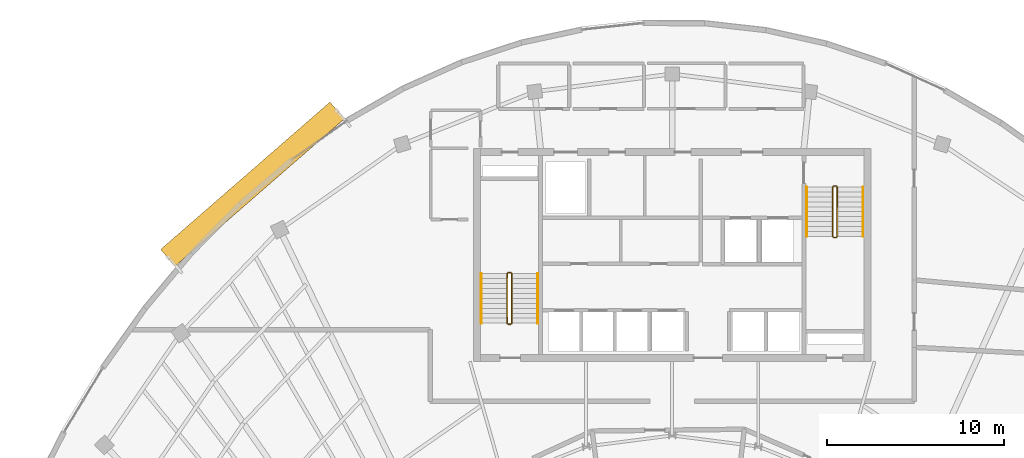
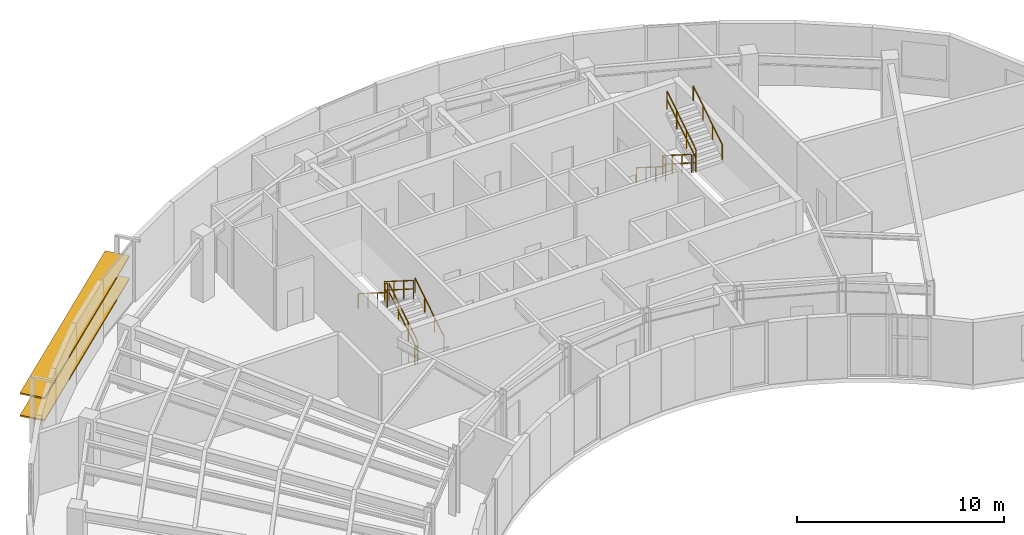
# One storey, part 12 of 12: 12 railings, 2 shading devices.
"""IFC4 building model written with IfcOpenShell, lengths in metres."""

from ifc_helpers import new_model, si_unit, direction, frame, origin, origin_2d, place, context, subcontext, project, spatial, rectangle, extrude, source, transform, mapped, material, material_profile, profile_set, type_object, element, save


model = new_model("IFC4")

# Units and contexts
model_context = context("Model", 3, precision=1e-05, world=origin(), true_north=direction((0.0, 1.0)))
body_context = subcontext(model_context, "Body", "Model", "MODEL_VIEW")
ifc_project = project(units=[si_unit("LENGTHUNIT", "METRE"), si_unit("AREAUNIT", "SQUARE_METRE"), si_unit("VOLUMEUNIT", "CUBIC_METRE"), si_unit("PLANEANGLEUNIT", "RADIAN"), si_unit("MASSUNIT", "GRAM", prefix="KILO")], contexts=[model_context])

# Site, building, storey
site_placement = place(None, origin())
site = spatial("IfcSite", under=ifc_project, at=site_placement, CompositionType="ELEMENT")
building_placement = place(site_placement, origin())
building = spatial("IfcBuilding", under=site, at=building_placement, Name="Breltana Convention Tower", CompositionType="ELEMENT")
storey_placement = place(building_placement, frame((0.0, 0.0, 264.0)))
storey = spatial("IfcBuildingStorey", under=building, at=storey_placement, Name="L64", CompositionType="ELEMENT", Elevation=264.0)

# Railings
ifc_material_1 = material(Name="Steel S275 Painted", Category="steel")
railing_type_1 = type_object("IfcRailingType", Name="RL-STAIR-GUARD-1100", PredefinedType="GUARDRAIL", material=ifc_material_1)
railing_1_placement = place(storey_placement, frame((38.9599609375, 62.360107421875, 0.17724609375)))
element("IfcRailing", 1, at=railing_1_placement, inside=storey, type_object=railing_type_1, Name="L64 ST-1 stair guard 1", PredefinedType="GUARDRAIL", context=body_context, shape_type="SweptSolid", body=[
    extrude(rectangle(XDim=0.048095703125, YDim=0.048095703125, at=origin_2d()), frame((0.0, 0.0, 1.076171875), z_axis=(0.0, 0.844887892834, 0.53494340686), x_axis=(-1.0, 0.0, 0.0)), (0.0, 0.0, 1.0), 3.313720703125),
    extrude(rectangle(XDim=0.048095703125, YDim=0.048095703125, at=origin_2d()), frame((0.0, 0.0, 0.572021484375), z_axis=(0.0, 0.844887892834, 0.53494340686), x_axis=(-1.0, 0.0, 0.0)), (0.0, 0.0, 1.0), 3.313720703125),
    extrude(rectangle(XDim=0.0419921875, YDim=0.0419921875, at=origin_2d()), origin(), (0.0, 0.0, 1.0), 1.052001953125),
    extrude(rectangle(XDim=0.0419921875, YDim=0.0419921875, at=origin_2d()), frame((0.0, 0.933349609375, 0.5908203125)), (0.0, 0.0, 1.0), 1.052001953125),
    extrude(rectangle(XDim=0.0419921875, YDim=0.0419921875, at=origin_2d()), frame((0.0, 1.866455078125, 1.181884765625)), (0.0, 0.0, 1.0), 1.052001953125),
    extrude(rectangle(XDim=0.0419921875, YDim=0.0419921875, at=origin_2d()), frame((0.0, 2.7998046875, 1.772705078125)), (0.0, 0.0, 1.0), 1.052001953125),
])
railing_2_placement = place(storey_placement, frame((38.909912109375, 65.2099609375, 1.949951171875)))
element("IfcRailing", 2, at=railing_2_placement, inside=storey, type_object=railing_type_1, Name="L64 ST-1 stair guard 2", PredefinedType="GUARDRAIL", context=body_context, shape_type="SweptSolid", body=[
    extrude(rectangle(XDim=0.048095703125, YDim=0.048095703125, at=origin_2d()), frame((0.0, 0.0, 1.076171875), z_axis=(-1.0, 0.0, 0.0), x_axis=(0.0, -1.0, 0.0)), (0.0, 0.0, 1.0), 0.14990234375),
    extrude(rectangle(XDim=0.048095703125, YDim=0.048095703125, at=origin_2d()), frame((0.0, 0.0, 0.572021484375), z_axis=(-1.0, 0.0, 0.0), x_axis=(0.0, -1.0, 0.0)), (0.0, 0.0, 1.0), 0.14990234375),
    extrude(rectangle(XDim=0.0419921875, YDim=0.0419921875, at=origin_2d()), origin(), (0.0, 0.0, 1.0), 1.052001953125),
    extrude(rectangle(XDim=0.0419921875, YDim=0.0419921875, at=origin_2d()), frame((-0.14990234375, 0.0, 0.0)), (0.0, 0.0, 1.0), 1.052001953125),
])
railing_3_placement = place(storey_placement, frame((38.7099609375, 65.159912109375, 2.127197265625)))
element("IfcRailing", 3, at=railing_3_placement, inside=storey, type_object=railing_type_1, Name="L64 ST-1 stair guard 3", PredefinedType="GUARDRAIL", context=body_context, shape_type="SweptSolid", body=[
    extrude(rectangle(XDim=0.048095703125, YDim=0.048095703125, at=origin_2d()), frame((0.0, 0.0, 1.076171875), z_axis=(0.0, -0.844887892834, 0.53494340686), x_axis=(1.0, 0.0, 0.0)), (0.0, 0.0, 1.0), 3.313720703125),
    extrude(rectangle(XDim=0.048095703125, YDim=0.048095703125, at=origin_2d()), frame((0.0, 0.0, 0.572021484375), z_axis=(0.0, -0.844887892834, 0.53494340686), x_axis=(1.0, 0.0, 0.0)), (0.0, 0.0, 1.0), 3.313720703125),
    extrude(rectangle(XDim=0.0419921875, YDim=0.0419921875, at=origin_2d()), origin(), (0.0, 0.0, 1.0), 1.052001953125),
    extrude(rectangle(XDim=0.0419921875, YDim=0.0419921875, at=origin_2d()), frame((0.0, -0.933349609375, 0.5908203125)), (0.0, 0.0, 1.0), 1.052001953125),
    extrude(rectangle(XDim=0.0419921875, YDim=0.0419921875, at=origin_2d()), frame((0.0, -1.866455078125, 1.181884765625)), (0.0, 0.0, 1.0), 1.052001953125),
    extrude(rectangle(XDim=0.0419921875, YDim=0.0419921875, at=origin_2d()), frame((0.0, -2.7998046875, 1.772705078125)), (0.0, 0.0, 1.0), 1.052001953125),
])
railing_4_placement = place(storey_placement, frame((38.909912109375, 62.31005859375, 0.0)))
element("IfcRailing", 4, at=railing_4_placement, inside=storey, type_object=railing_type_1, Name="L64 ST-1 stair guard 4", PredefinedType="GUARDRAIL", context=body_context, shape_type="SweptSolid", body=[
    extrude(rectangle(XDim=0.048095703125, YDim=0.048095703125, at=origin_2d()), frame((0.0, 0.0, 1.076171875), z_axis=(-1.0, 0.0, 0.0), x_axis=(0.0, -1.0, 0.0)), (0.0, 0.0, 1.0), 0.14990234375),
    extrude(rectangle(XDim=0.048095703125, YDim=0.048095703125, at=origin_2d()), frame((0.0, 0.0, 0.572021484375), z_axis=(-1.0, 0.0, 0.0), x_axis=(0.0, -1.0, 0.0)), (0.0, 0.0, 1.0), 0.14990234375),
    extrude(rectangle(XDim=0.0419921875, YDim=0.0419921875, at=origin_2d()), origin(), (0.0, 0.0, 1.0), 1.052001953125),
    extrude(rectangle(XDim=0.0419921875, YDim=0.0419921875, at=origin_2d()), frame((-0.14990234375, 0.0, 0.0)), (0.0, 0.0, 1.0), 1.052001953125),
])
railing_5_placement = place(storey_placement, frame((57.0400390625, 70.0400390625, 0.17724609375)))
element("IfcRailing", 5, at=railing_5_placement, inside=storey, type_object=railing_type_1, Name="L64 ST-2 stair guard 1", PredefinedType="GUARDRAIL", context=body_context, shape_type="SweptSolid", body=[
    extrude(rectangle(XDim=0.048095703125, YDim=0.048095703125, at=origin_2d()), frame((0.0, 0.0, 1.076171875), z_axis=(0.0, -0.844908973607, 0.534910110503), x_axis=(1.0, 0.0, 0.0)), (0.0, 0.0, 1.0), 3.31396484375),
    extrude(rectangle(XDim=0.048095703125, YDim=0.048095703125, at=origin_2d()), frame((0.0, 0.0, 0.572021484375), z_axis=(0.0, -0.844908973607, 0.534910110503), x_axis=(1.0, 0.0, 0.0)), (0.0, 0.0, 1.0), 3.31396484375),
    extrude(rectangle(XDim=0.0419921875, YDim=0.0419921875, at=origin_2d()), origin(), (0.0, 0.0, 1.0), 1.052001953125),
    extrude(rectangle(XDim=0.0419921875, YDim=0.0419921875, at=origin_2d()), frame((0.0, -0.933349609375, 0.5908203125)), (0.0, 0.0, 1.0), 1.052001953125),
    extrude(rectangle(XDim=0.0419921875, YDim=0.0419921875, at=origin_2d()), frame((0.0, -1.86669921875, 1.181884765625)), (0.0, 0.0, 1.0), 1.052001953125),
    extrude(rectangle(XDim=0.0419921875, YDim=0.0419921875, at=origin_2d()), frame((0.0, -2.800048828125, 1.772705078125)), (0.0, 0.0, 1.0), 1.052001953125),
])
railing_6_placement = place(storey_placement, frame((57.090087890625, 67.18994140625, 1.949951171875)))
element("IfcRailing", 6, at=railing_6_placement, inside=storey, type_object=railing_type_1, Name="L64 ST-2 stair guard 2", PredefinedType="GUARDRAIL", context=body_context, shape_type="SweptSolid", body=[
    extrude(rectangle(XDim=0.048095703125, YDim=0.048095703125, at=origin_2d()), frame((0.0, 0.0, 1.076171875), z_axis=(1.0, 0.0, 0.0), x_axis=(0.0, 1.0, 0.0)), (0.0, 0.0, 1.0), 0.14990234375),
    extrude(rectangle(XDim=0.048095703125, YDim=0.048095703125, at=origin_2d()), frame((0.0, 0.0, 0.572021484375), z_axis=(1.0, 0.0, 0.0), x_axis=(0.0, 1.0, 0.0)), (0.0, 0.0, 1.0), 0.14990234375),
    extrude(rectangle(XDim=0.0419921875, YDim=0.0419921875, at=origin_2d()), origin(), (0.0, 0.0, 1.0), 1.052001953125),
    extrude(rectangle(XDim=0.0419921875, YDim=0.0419921875, at=origin_2d()), frame((0.14990234375, 0.0, 0.0)), (0.0, 0.0, 1.0), 1.052001953125),
])
railing_7_placement = place(storey_placement, frame((57.2900390625, 67.239990234375, 2.127197265625)))
element("IfcRailing", 7, at=railing_7_placement, inside=storey, type_object=railing_type_1, Name="L64 ST-2 stair guard 3", PredefinedType="GUARDRAIL", context=body_context, shape_type="SweptSolid", body=[
    extrude(rectangle(XDim=0.048095703125, YDim=0.048095703125, at=origin_2d()), frame((0.0, 0.0, 1.076171875), z_axis=(0.0, 0.844908973607, 0.534910110503), x_axis=(-1.0, 0.0, 0.0)), (0.0, 0.0, 1.0), 3.31396484375),
    extrude(rectangle(XDim=0.048095703125, YDim=0.048095703125, at=origin_2d()), frame((0.0, 0.0, 0.572021484375), z_axis=(0.0, 0.844908973607, 0.534910110503), x_axis=(-1.0, 0.0, 0.0)), (0.0, 0.0, 1.0), 3.31396484375),
    extrude(rectangle(XDim=0.0419921875, YDim=0.0419921875, at=origin_2d()), origin(), (0.0, 0.0, 1.0), 1.052001953125),
    extrude(rectangle(XDim=0.0419921875, YDim=0.0419921875, at=origin_2d()), frame((0.0, 0.933349609375, 0.5908203125)), (0.0, 0.0, 1.0), 1.052001953125),
    extrude(rectangle(XDim=0.0419921875, YDim=0.0419921875, at=origin_2d()), frame((0.0, 1.86669921875, 1.181884765625)), (0.0, 0.0, 1.0), 1.052001953125),
    extrude(rectangle(XDim=0.0419921875, YDim=0.0419921875, at=origin_2d()), frame((0.0, 2.800048828125, 1.772705078125)), (0.0, 0.0, 1.0), 1.052001953125),
])
railing_8_placement = place(storey_placement, frame((57.090087890625, 70.090087890625, 0.0)))
element("IfcRailing", 8, at=railing_8_placement, inside=storey, type_object=railing_type_1, Name="L64 ST-2 stair guard 4", PredefinedType="GUARDRAIL", context=body_context, shape_type="SweptSolid", body=[
    extrude(rectangle(XDim=0.048095703125, YDim=0.048095703125, at=origin_2d()), frame((0.0, 0.0, 1.076171875), z_axis=(1.0, 0.0, 0.0), x_axis=(0.0, 1.0, 0.0)), (0.0, 0.0, 1.0), 0.14990234375),
    extrude(rectangle(XDim=0.048095703125, YDim=0.048095703125, at=origin_2d()), frame((0.0, 0.0, 0.572021484375), z_axis=(1.0, 0.0, 0.0), x_axis=(0.0, 1.0, 0.0)), (0.0, 0.0, 1.0), 0.14990234375),
    extrude(rectangle(XDim=0.0419921875, YDim=0.0419921875, at=origin_2d()), origin(), (0.0, 0.0, 1.0), 1.052001953125),
    extrude(rectangle(XDim=0.0419921875, YDim=0.0419921875, at=origin_2d()), frame((0.14990234375, 0.0, 0.0)), (0.0, 0.0, 1.0), 1.052001953125),
])
ifc_material_2 = material(Name="Stainless Steel 316L", Category="steel")
railing_type_2 = type_object("IfcRailingType", Name="RL-STAIR-HANDRAIL-900", PredefinedType="HANDRAIL", material=ifc_material_2)
railing_9_placement = place(storey_placement, frame((40.419921875, 62.360107421875, 0.17724609375)))
element("IfcRailing", 9, at=railing_9_placement, inside=storey, type_object=railing_type_2, Name="L64 ST-1 stair handrail 1", PredefinedType="HANDRAIL", context=body_context, shape_type="SweptSolid", body=[
    extrude(rectangle(XDim=0.048095703125, YDim=0.048095703125, at=origin_2d()), frame((0.0, 0.0, 0.8759765625), z_axis=(0.0, 0.844887892834, 0.53494340686), x_axis=(-1.0, 0.0, 0.0)), (0.0, 0.0, 1.0), 3.313720703125),
    extrude(rectangle(XDim=0.0419921875, YDim=0.0419921875, at=origin_2d()), origin(), (0.0, 0.0, 1.0), 0.851806640625),
    extrude(rectangle(XDim=0.0419921875, YDim=0.0419921875, at=origin_2d()), frame((0.0, 0.933349609375, 0.5908203125)), (0.0, 0.0, 1.0), 0.851806640625),
    extrude(rectangle(XDim=0.0419921875, YDim=0.0419921875, at=origin_2d()), frame((0.0, 1.866455078125, 1.181884765625)), (0.0, 0.0, 1.0), 0.851806640625),
    extrude(rectangle(XDim=0.0419921875, YDim=0.0419921875, at=origin_2d()), frame((0.0, 2.7998046875, 1.772705078125)), (0.0, 0.0, 1.0), 0.851806640625),
])
railing_10_placement = place(storey_placement, frame((37.25, 65.159912109375, 2.127197265625)))
element("IfcRailing", 10, at=railing_10_placement, inside=storey, type_object=railing_type_2, Name="L64 ST-1 stair handrail 2", PredefinedType="HANDRAIL", context=body_context, shape_type="SweptSolid", body=[
    extrude(rectangle(XDim=0.048095703125, YDim=0.048095703125, at=origin_2d()), frame((0.0, 0.0, 0.8759765625), z_axis=(0.0, -0.844887892834, 0.53494340686), x_axis=(1.0, 0.0, 0.0)), (0.0, 0.0, 1.0), 3.313720703125),
    extrude(rectangle(XDim=0.0419921875, YDim=0.0419921875, at=origin_2d()), origin(), (0.0, 0.0, 1.0), 0.851806640625),
    extrude(rectangle(XDim=0.0419921875, YDim=0.0419921875, at=origin_2d()), frame((0.0, -0.933349609375, 0.5908203125)), (0.0, 0.0, 1.0), 0.851806640625),
    extrude(rectangle(XDim=0.0419921875, YDim=0.0419921875, at=origin_2d()), frame((0.0, -1.866455078125, 1.181884765625)), (0.0, 0.0, 1.0), 0.851806640625),
    extrude(rectangle(XDim=0.0419921875, YDim=0.0419921875, at=origin_2d()), frame((0.0, -2.7998046875, 1.772705078125)), (0.0, 0.0, 1.0), 0.851806640625),
])
railing_11_placement = place(storey_placement, frame((55.580078125, 70.0400390625, 0.17724609375)))
element("IfcRailing", 11, at=railing_11_placement, inside=storey, type_object=railing_type_2, Name="L64 ST-2 stair handrail 1", PredefinedType="HANDRAIL", context=body_context, shape_type="SweptSolid", body=[
    extrude(rectangle(XDim=0.048095703125, YDim=0.048095703125, at=origin_2d()), frame((0.0, 0.0, 0.8759765625), z_axis=(0.0, -0.844908973607, 0.534910110503), x_axis=(1.0, 0.0, 0.0)), (0.0, 0.0, 1.0), 3.31396484375),
    extrude(rectangle(XDim=0.0419921875, YDim=0.0419921875, at=origin_2d()), origin(), (0.0, 0.0, 1.0), 0.851806640625),
    extrude(rectangle(XDim=0.0419921875, YDim=0.0419921875, at=origin_2d()), frame((0.0, -0.933349609375, 0.5908203125)), (0.0, 0.0, 1.0), 0.851806640625),
    extrude(rectangle(XDim=0.0419921875, YDim=0.0419921875, at=origin_2d()), frame((0.0, -1.86669921875, 1.181884765625)), (0.0, 0.0, 1.0), 0.851806640625),
    extrude(rectangle(XDim=0.0419921875, YDim=0.0419921875, at=origin_2d()), frame((0.0, -2.800048828125, 1.772705078125)), (0.0, 0.0, 1.0), 0.851806640625),
])
railing_12_placement = place(storey_placement, frame((58.75, 67.239990234375, 2.127197265625)))
element("IfcRailing", 12, at=railing_12_placement, inside=storey, type_object=railing_type_2, Name="L64 ST-2 stair handrail 2", PredefinedType="HANDRAIL", context=body_context, shape_type="SweptSolid", body=[
    extrude(rectangle(XDim=0.048095703125, YDim=0.048095703125, at=origin_2d()), frame((0.0, 0.0, 0.8759765625), z_axis=(0.0, 0.844908973607, 0.534910110503), x_axis=(-1.0, 0.0, 0.0)), (0.0, 0.0, 1.0), 3.31396484375),
    extrude(rectangle(XDim=0.0419921875, YDim=0.0419921875, at=origin_2d()), origin(), (0.0, 0.0, 1.0), 0.851806640625),
    extrude(rectangle(XDim=0.0419921875, YDim=0.0419921875, at=origin_2d()), frame((0.0, 0.933349609375, 0.5908203125)), (0.0, 0.0, 1.0), 0.851806640625),
    extrude(rectangle(XDim=0.0419921875, YDim=0.0419921875, at=origin_2d()), frame((0.0, 1.86669921875, 1.181884765625)), (0.0, 0.0, 1.0), 0.851806640625),
    extrude(rectangle(XDim=0.0419921875, YDim=0.0419921875, at=origin_2d()), frame((0.0, 2.800048828125, 1.772705078125)), (0.0, 0.0, 1.0), 0.851806640625),
])

# Shading devices
ifc_material_3 = material(Name="Limestone Warm Buff Honed", Category="masonry")
ifc_material_profile = material_profile(ifc_material_3, rectangle(XDim=1.25, YDim=0.090087890625, at=origin_2d()), Name="STN-LVR-1250X90")
ifc_profile_set = profile_set([ifc_material_profile], Name="Limestone Warm Buff Honed")
shading_device_type = type_object("IfcShadingDeviceType", Name="SHD-OUTER-SKIN-LIMESTONE-1250", PredefinedType="JALOUSIE", material=ifc_profile_set)
shared_shape = source(origin(), body_context, "Body", "SweptSolid", [
    extrude(rectangle(XDim=1.25, YDim=0.090087890625, at=origin_2d()), origin(), (0.0, 0.0, 1.0), 12.646484375),
])
for number, where, z_axis, x_axis, name in (
    (13, (19.582275390625, 66.044189453125, 1.31396484375), (0.754367743007, 0.656452060938, 0.0), (-0.656452060938, 0.754367743007, 0.0), "L64 outer skin warm limestone louvre 1.1"),
    (14, (19.582275390625, 66.044189453125, 2.6279296875), (0.754367743007, 0.656452060938, 0.0), (-0.656452060938, 0.754367743007, 0.0), "L64 outer skin warm limestone louvre 1.2"),
):
    element("IfcShadingDevice", number, at=place(storey_placement, frame(where, z_axis=z_axis, x_axis=x_axis)), inside=storey, type_object=shading_device_type, Name=name, PredefinedType="JALOUSIE", context=body_context, shape_type="MappedRepresentation", body=[
        mapped(shared_shape, transform((0.0, 0.0, 0.0), scale=1.0)),
    ])

save(model, "model.ifc")
